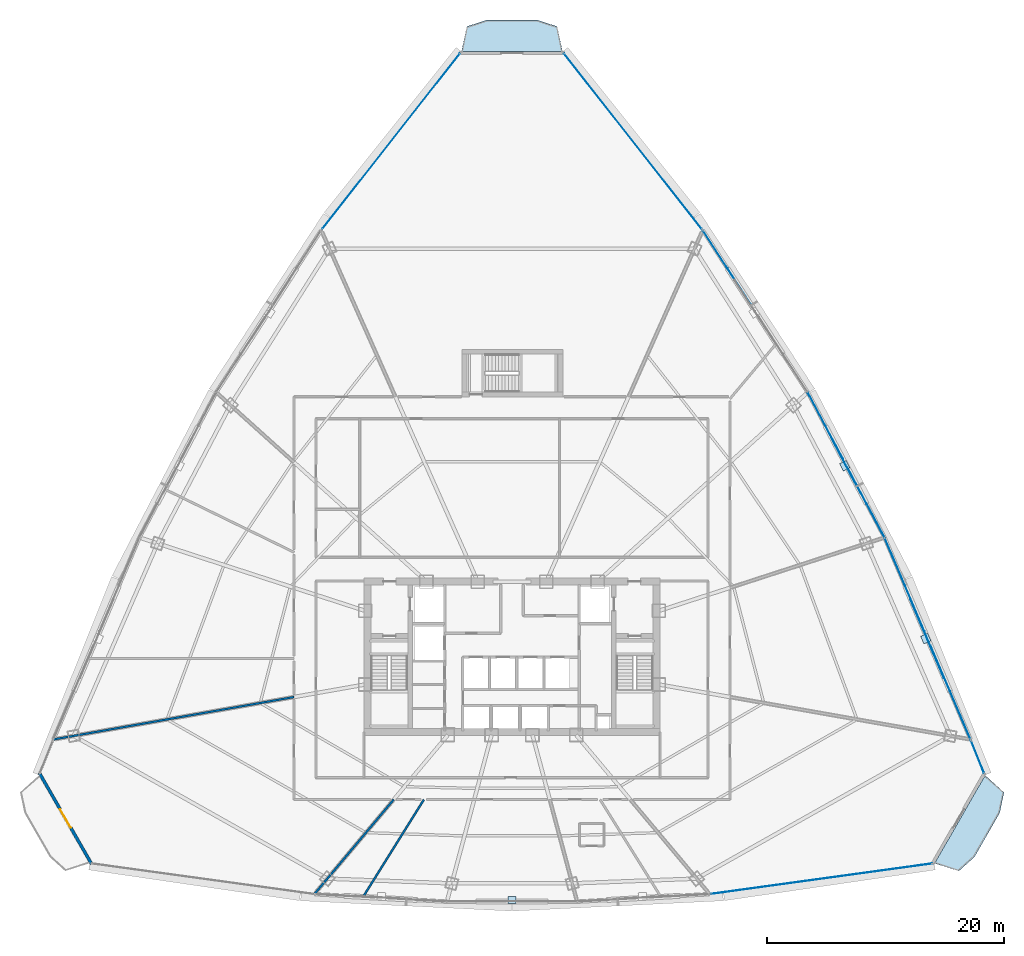
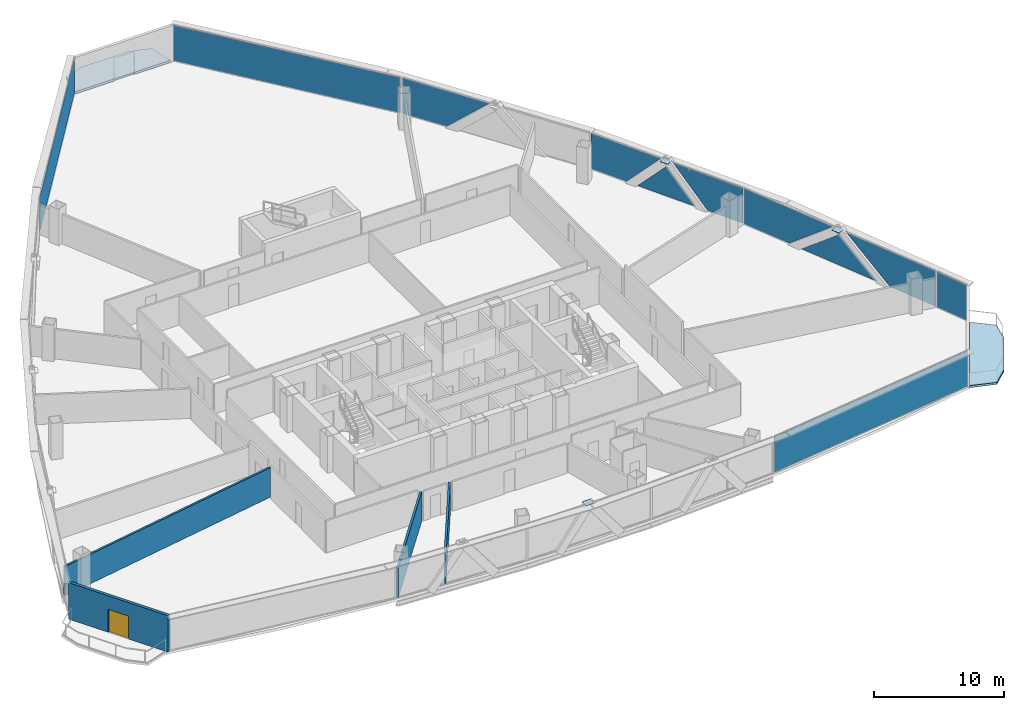
# One storey, part 31 of 39: 14 plates, 4 walls, 2 slabs, 1 door, 1 opening, 7 elements without a shape of their own.
"""IFC4 building model written with IfcOpenShell, lengths in metres."""

from ifc_helpers import new_model, si_unit, direction, frame, frame_2d, origin, origin_with_axes, origin_2d, place, context, subcontext, project, spatial, polyline, rectangle, outline, extrude, source, transform, mapped, material, layer, layer_set, type_object, element, fill, aggregate, save


model = new_model("IFC4")

# Units and contexts
model_context = context("Model", 3, precision=1e-05, world=origin(), true_north=direction((0.0, 1.0)))
body_context = subcontext(model_context, "Body", "Model", "MODEL_VIEW")
ifc_project = project(units=[si_unit("LENGTHUNIT", "METRE"), si_unit("AREAUNIT", "SQUARE_METRE"), si_unit("VOLUMEUNIT", "CUBIC_METRE"), si_unit("PLANEANGLEUNIT", "RADIAN"), si_unit("MASSUNIT", "GRAM", prefix="KILO"), si_unit("THERMODYNAMICTEMPERATUREUNIT", "KELVIN"), si_unit("POWERUNIT", "WATT")], contexts=[model_context])

# Site, building, storey
site_placement = place(None, origin())
site = spatial("IfcSite", under=ifc_project, at=site_placement, CompositionType="ELEMENT")
building_placement = place(site_placement, origin())
building = spatial("IfcBuilding", under=site, at=building_placement, Name="Yunzhuo Pagoda Commons", CompositionType="ELEMENT")
storey_placement = place(building_placement, frame((0.0, 0.0, 148.22998046875)))
storey = spatial("IfcBuildingStorey", under=building, at=storey_placement, Name="L37", CompositionType="ELEMENT", Elevation=148.22998046875)

# Curtain wall, plates
ifc_material_1 = material(Name="Anodized aluminium 6063-T6", Category="aluminium")
ifc_layer_1 = layer(ifc_material_1, 0.14990234375)
ifc_layer_set_1 = layer_set([ifc_layer_1], Name="Anodized aluminium 6063-T6")
curtain_wall_type = type_object("IfcCurtainWallType", Name="CW-MID Mid-Zone Ribbon Curtain Wall", PredefinedType="NOTDEFINED", material=ifc_layer_set_1)
curtain_wall_1_placement = place(storey_placement, origin())
curtain_wall_1 = element("IfcCurtainWall", 1, at=curtain_wall_1_placement, inside=storey, type_object=curtain_wall_type, Name="L37 curtain wall CW-L37-F2B2", PredefinedType="NOTDEFINED")
ifc_material_2 = material(Name="Tempered low-e double glazing", Category="glass")
ifc_layer_2 = layer(ifc_material_2, 0.028076171875)
ifc_layer_set_2 = layer_set([ifc_layer_2], Name="Tempered low-e double glazing")
plate_type_1 = type_object("IfcPlateType", Name="CW-MID-P Low-E Double Glazing 28", PredefinedType="CURTAIN_PANEL", material=ifc_layer_set_2)
plate_1_placement = place(storey_placement, frame((85.003173828125, 30.844970703125, 1.7099609375), z_axis=(0.920072228059, 0.391748765351, 0.0), x_axis=(-0.391748765351, 0.920072228059, 0.0)))
plate_1 = element("IfcPlate", 2, at=plate_1_placement, type_object=plate_type_1, Name="CW panel 1.1 lite 1", PredefinedType="CURTAIN_PANEL", context=body_context, shape_type="SweptSolid", body=[
    extrude(outline(polyline([(-4.261474609375, -1.655029296875), (0.095703125, -1.655029296875), (4.261474609375, 1.655029296875), (-4.261474609375, 1.655029296875), (-4.261474609375, -1.655029296875)])), origin(), (0.0, 0.0, 1.0), 0.028076171875),
])
plate_2_placement = place(storey_placement, frame((83.039794921875, 35.379638671875, 1.494873046875), z_axis=(0.920072228059, 0.391748765351, 0.0), x_axis=(-0.391748765351, 0.920072228059, 0.0)))
plate_2 = element("IfcPlate", 3, at=plate_2_placement, type_object=plate_type_1, Name="CW panel 1.1 lite 2", PredefinedType="CURTAIN_PANEL", context=body_context, shape_type="SweptSolid", body=[
    extrude(outline(polyline([(-3.6240234375, -1.439697265625), (3.6240234375, -1.439697265625), (0.0, 1.439697265625), (-3.6240234375, -1.439697265625)])), origin(), (0.0, 0.0, 1.0), 0.028076171875),
])
plate_3_placement = place(storey_placement, frame((81.131591796875, 39.937744140625, 1.7099609375), z_axis=(0.920072228059, 0.391748765351, 0.0), x_axis=(-0.391748765351, 0.920072228059, 0.0)))
plate_3 = element("IfcPlate", 4, at=plate_3_placement, type_object=plate_type_1, Name="CW panel 1.1 lite 3", PredefinedType="CURTAIN_PANEL", context=body_context, shape_type="SweptSolid", body=[
    extrude(outline(polyline([(-4.26123046875, 1.655029296875), (-0.095703125, -1.655029296875), (4.26123046875, -1.655029296875), (4.26123046875, 1.655029296875), (-4.26123046875, 1.655029296875)])), origin(), (0.0, 0.0, 1.0), 0.028076171875),
])
aggregate(curtain_wall_1, [plate_1, plate_2, plate_3])

curtain_wall_2_placement = place(storey_placement, origin())
curtain_wall_2 = element("IfcCurtainWall", 5, at=curtain_wall_2_placement, inside=storey, type_object=curtain_wall_type, Name="L37 curtain wall CW-L37-F2B3", PredefinedType="NOTDEFINED")
plate_4_placement = place(storey_placement, frame((77.937744140625, 46.750244140625, 1.7099609375), z_axis=(0.883879096849, 0.467715449984, 0.0), x_axis=(-0.467715449984, 0.883879096849, 0.0)))
plate_4 = element("IfcPlate", 6, at=plate_4_placement, type_object=plate_type_1, Name="CW panel 1.1 lite 1", PredefinedType="CURTAIN_PANEL", context=body_context, shape_type="SweptSolid", body=[
    extrude(outline(polyline([(-3.150390625, -1.655029296875), (0.031494140625, -1.655029296875), (3.150390625, 1.655029296875), (-3.150390625, 1.655029296875), (-3.150390625, -1.655029296875)])), origin(), (0.0, 0.0, 1.0), 0.028076171875),
])
plate_5_placement = place(storey_placement, frame((76.169189453125, 50.0283203125, 1.46044921875), z_axis=(0.883879096849, 0.467715449984, 0.0), x_axis=(-0.467715449984, 0.883879096849, 0.0)))
plate_5 = element("IfcPlate", 7, at=plate_5_placement, type_object=plate_type_1, Name="CW panel 1.1 lite 2", PredefinedType="CURTAIN_PANEL", context=body_context, shape_type="SweptSolid", body=[
    extrude(outline(polyline([(-2.6484375, -1.405517578125), (2.6484375, -1.405517578125), (0.0, 1.405517578125), (-2.6484375, -1.405517578125)])), origin(), (0.0, 0.0, 1.0), 0.028076171875),
])
plate_6_placement = place(storey_placement, frame((74.453857421875, 53.334228515625, 1.7099609375), z_axis=(0.883879096849, 0.467715449984, 0.0), x_axis=(-0.467715449984, 0.883879096849, 0.0)))
plate_6 = element("IfcPlate", 8, at=plate_6_placement, type_object=plate_type_1, Name="CW panel 1.1 lite 3", PredefinedType="CURTAIN_PANEL", context=body_context, shape_type="SweptSolid", body=[
    extrude(outline(polyline([(-3.150390625, 1.655029296875), (-0.031494140625, -1.655029296875), (3.150390625, -1.655029296875), (3.150390625, 1.655029296875), (-3.150390625, 1.655029296875)])), origin(), (0.0, 0.0, 1.0), 0.028076171875),
])
aggregate(curtain_wall_2, [plate_4, plate_5, plate_6])

# Curtain wall, plate
curtain_wall_3_placement = place(storey_placement, origin())
curtain_wall_3 = element("IfcCurtainWall", 9, at=curtain_wall_3_placement, inside=storey, type_object=curtain_wall_type, Name="L37 curtain wall CW-L37-F2B4", PredefinedType="NOTDEFINED")
plate_7_placement = place(storey_placement, frame((66.15087890625, 66.6728515625, 1.7099609375), z_axis=(0.839320281383, 0.543637255216, 0.0), x_axis=(-0.543637255216, 0.839320281383, 0.0)))
plate_7 = element("IfcPlate", 10, at=plate_7_placement, type_object=plate_type_1, Name="CW panel 1.1 lite 3", PredefinedType="CURTAIN_PANEL", context=body_context, shape_type="SweptSolid", body=[
    extrude(outline(polyline([(-3.732177734375, 1.655029296875), (-0.06591796875, -1.655029296875), (3.732177734375, -1.655029296875), (3.732177734375, 1.655029296875), (-3.732177734375, 1.655029296875)])), origin(), (0.0, 0.0, 1.0), 0.028076171875),
])
aggregate(curtain_wall_3, [plate_7])

# Slabs
ifc_material_3 = material(Name="Concrete C40", Category="concrete")
ifc_layer_3 = layer(ifc_material_3, 0.199951171875)
ifc_layer_set_3 = layer_set([ifc_layer_3], Name="Concrete C40")
slab_type = type_object("IfcSlabType", Name="SL-BAL Vertex Balcony Deck Slab 200", PredefinedType="FLOOR", material=ifc_layer_set_3)
slab_1_placement = place(storey_placement, frame((0.0, 0.0, -0.199951171875)))
element("IfcSlab", 11, at=slab_1_placement, inside=storey, type_object=slab_type, Name="L37 corner balcony V2", PredefinedType="FLOOR", context=body_context, shape_type="SweptSolid", body=[
    extrude(outline(polyline([(83.679443359375, 16.419189453125), (87.9404296875, 23.840576171875), (89.533203125, 22.406982421875), (89.169189453125, 20.668212890625), (87.03857421875, 16.95751953125), (85.720458984375, 15.766357421875), (83.679443359375, 16.419189453125)])), origin(), (0.0, 0.0, 1.0), 0.199951171875),
])
slab_2_placement = place(storey_placement, frame((0.0, 0.0, -0.199951171875)))
element("IfcSlab", 12, at=slab_2_placement, inside=storey, type_object=slab_type, Name="L37 corner balcony V3", PredefinedType="FLOOR", context=body_context, shape_type="SweptSolid", body=[
    extrude(outline(polyline([(52.260986328125, 84.96337890625), (43.739013671875, 84.96337890625), (44.18896484375, 87.058349609375), (45.869384765625, 87.6083984375), (50.130615234375, 87.6083984375), (51.81103515625, 87.058349609375), (52.260986328125, 84.96337890625)])), origin(), (0.0, 0.0, 1.0), 0.199951171875),
])

# Plates
ifc_material_4 = material(Name="Structural steel Q355B", Category="steel")
ifc_layer_4 = layer(ifc_material_4, 0.028076171875)
ifc_layer_set_4 = layer_set([ifc_layer_4], Name="Structural steel Q355B")
plate_type_2 = type_object("IfcPlateType", Name="SP-ND1 Lattice Node Cap Plate 800x500x28", PredefinedType="USERDEFINED", material=ifc_layer_set_4)
shared_shape_1 = source(origin(), body_context, "Body", "SweptSolid", [
    extrude(rectangle(XDim=0.699951171875, YDim=0.654296875, at=origin_2d()), origin(), (0.0, 0.0, 1.0), 0.035888671875),
])
plate_8_placement = place(storey_placement, frame((82.928466796875, 35.39013671875, 3.3818359375), z_axis=(0.0, 0.0, 1.0), x_axis=(-0.391743040033, 0.920074665767, 0.0)))
element("IfcPlate", 13, at=plate_8_placement, inside=storey, type_object=plate_type_2, Name="L37 setback lattice tie plate F2.1L", ObjectType="STIFFENER_PLATE", PredefinedType="USERDEFINED", context=body_context, shape_type="MappedRepresentation", body=[
    mapped(shared_shape_1, transform((0.0, 0.0, 0.0), scale=1.0)),
])
shared_shape_2 = source(origin(), body_context, "Body", "SweptSolid", [
    extrude(rectangle(XDim=0.699951171875, YDim=0.6259765625, at=origin_2d()), origin(), (0.0, 0.0, 1.0), 0.035888671875),
])
plate_9_placement = place(storey_placement, frame((76.088623046875, 49.97998046875, 3.3818359375), z_axis=(0.0, 0.0, 1.0), x_axis=(-0.467713855613, 0.883879940528, 0.0)))
element("IfcPlate", 14, at=plate_9_placement, inside=storey, type_object=plate_type_2, Name="L37 setback lattice tie plate F2.2L", ObjectType="STIFFENER_PLATE", PredefinedType="USERDEFINED", context=body_context, shape_type="MappedRepresentation", body=[
    mapped(shared_shape_2, transform((0.0, 0.0, 0.0), scale=1.0)),
])
shared_shape_3 = source(origin(), body_context, "Body", "SweptSolid", [
    extrude(rectangle(XDim=0.699951171875, YDim=0.61328125, at=origin_2d()), origin(), (0.0, 0.0, 1.0), 0.035888671875),
])
plate_10_placement = place(storey_placement, frame((48.0, 13.312255859375, 3.3818359375), z_axis=(0.0, 0.0, 1.0), x_axis=(1.0, 0.0, 0.0)))
element("IfcPlate", 15, at=plate_10_placement, inside=storey, type_object=plate_type_2, Name="L37 setback lattice tie plate F1.2L", ObjectType="STIFFENER_PLATE", PredefinedType="USERDEFINED", context=body_context, shape_type="MappedRepresentation", body=[
    mapped(shared_shape_3, transform((0.0, 0.0, 0.0), scale=1.0)),
])

# Curtain wall, plate
curtain_wall_4_placement = place(storey_placement, origin())
curtain_wall_4 = element("IfcCurtainWall", 16, at=curtain_wall_4_placement, inside=storey, type_object=curtain_wall_type, Name="L37 curtain wall CW-L37-F1B5", PredefinedType="NOTDEFINED")
shared_shape_4 = source(origin(), body_context, "Body", "SweptSolid", [
    extrude(rectangle(XDim=18.811767578125, YDim=0.028076171875, at=origin_2d()), origin(), (0.0, 0.0, 1.0), 3.31005859375),
])
plate_11_placement = place(storey_placement, frame((74.137451171875, 15.114501953125, 0.054931640625), z_axis=(0.0, 0.0, 1.0), x_axis=(0.990678510165, 0.136220738131, 0.0)))
plate_11 = element("IfcPlate", 17, at=plate_11_placement, type_object=plate_type_1, Name="CW panel 1.1", PredefinedType="CURTAIN_PANEL", context=body_context, shape_type="MappedRepresentation", body=[
    mapped(shared_shape_4, transform((0.0, 0.0, 0.0), scale=1.0)),
])
aggregate(curtain_wall_4, [plate_11])

curtain_wall_5_placement = place(storey_placement, origin())
curtain_wall_5 = element("IfcCurtainWall", 18, at=curtain_wall_5_placement, inside=storey, type_object=curtain_wall_type, Name="L37 curtain wall CW-L37-F2B1", PredefinedType="NOTDEFINED")
shared_shape_5 = source(origin(), body_context, "Body", "SweptSolid", [
    extrude(rectangle(XDim=2.91455078125, YDim=0.028076171875, at=origin_2d()), origin(), (0.0, 0.0, 1.0), 3.31005859375),
])
plate_12_placement = place(storey_placement, frame((87.303955078125, 25.3974609375, 0.054931640625), z_axis=(0.0, 0.0, 1.0), x_axis=(-0.373616750166, 0.927583162846, 0.0)))
plate_12 = element("IfcPlate", 19, at=plate_12_placement, type_object=plate_type_1, Name="CW panel 1.1", PredefinedType="CURTAIN_PANEL", context=body_context, shape_type="MappedRepresentation", body=[
    mapped(shared_shape_5, transform((0.0, 0.0, 0.0), scale=1.0)),
])
aggregate(curtain_wall_5, [plate_12])

curtain_wall_6_placement = place(storey_placement, origin())
curtain_wall_6 = element("IfcCurtainWall", 20, at=curtain_wall_6_placement, inside=storey, type_object=curtain_wall_type, Name="L37 curtain wall CW-L37-F2B5", PredefinedType="NOTDEFINED")
shared_shape_6 = source(origin(), body_context, "Body", "SweptSolid", [
    extrude(rectangle(XDim=18.82861328125, YDim=0.028076171875, at=origin_2d()), origin(), (0.0, 0.0, 1.0), 3.31005859375),
])
plate_13_placement = place(storey_placement, frame((58.205322265625, 77.375244140625, 0.054931640625), z_axis=(0.0, 0.0, 1.0), x_axis=(-0.617380481147, 0.786664694453, 0.0)))
plate_13 = element("IfcPlate", 21, at=plate_13_placement, type_object=plate_type_1, Name="CW panel 1.1", PredefinedType="CURTAIN_PANEL", context=body_context, shape_type="MappedRepresentation", body=[
    mapped(shared_shape_6, transform((0.0, 0.0, 0.0), scale=1.0)),
])
aggregate(curtain_wall_6, [plate_13])

curtain_wall_7_placement = place(storey_placement, origin())
curtain_wall_7 = element("IfcCurtainWall", 22, at=curtain_wall_7_placement, inside=storey, type_object=curtain_wall_type, Name="L37 curtain wall CW-L37-F3B1", PredefinedType="NOTDEFINED")
plate_14_placement = place(storey_placement, frame((37.794677734375, 77.375244140625, 0.054931640625), z_axis=(0.0, 0.0, 1.0), x_axis=(-0.617380481147, -0.786664694453, 0.0)))
plate_14 = element("IfcPlate", 23, at=plate_14_placement, type_object=plate_type_1, Name="CW panel 1.1", PredefinedType="CURTAIN_PANEL", context=body_context, shape_type="MappedRepresentation", body=[
    mapped(shared_shape_6, transform((0.0, 0.0, 0.0), scale=1.0)),
])
aggregate(curtain_wall_7, [plate_14])

# Wall, opening, door
ifc_material_5 = material(Name="Precast concrete C40", Category="concrete")
ifc_layer_5 = layer(ifc_material_5, 0.260009765625)
ifc_layer_set_5 = layer_set([ifc_layer_5], Name="Precast concrete C40")
wall_type_1 = type_object("IfcWallType", Name="W-BAL1 Corner Balcony Threshold Wall 260", PredefinedType="STANDARD", material=ifc_layer_set_5)
wall_1_placement = place(storey_placement, frame((8.101806640625, 24.037841796875, 0.0), z_axis=(0.0, 0.0, 1.0), x_axis=(0.497915888941, -0.867225326856, 0.0)))
wall_1 = element("IfcWall", 24, at=wall_1_placement, inside=storey, type_object=wall_type_1, Name="L37 corner balcony wall V1", PredefinedType="STANDARD", context=body_context, shape_type="SweptSolid", body=[
    extrude(rectangle(XDim=8.857666015625, YDim=0.260009765625, at=frame_2d((4.4287109375, 0.0))), origin(), (0.0, 0.0, 1.0), 3.419921875),
])
opening_placement = place(wall_1_placement, frame((3.52880859375, 0.0, 0.0)))
opening = element("IfcOpeningElement", 25, at=opening_placement, cuts=wall_1, Name="Opening D-BAL1", PredefinedType="OPENING", context=body_context, shape_type="SweptSolid", body=[
    extrude(rectangle(XDim=1.800048828125, YDim=2.14990234375, at=frame_2d((0.89990234375, 1.074951171875))), frame((0.0, 0.14013671875, 0.0), z_axis=(0.0, -1.0, 0.0), x_axis=(1.0, 0.0, 0.0)), (0.0, 0.0, 1.0), 0.280029296875),
])
ifc_material_6 = material(Name="Anodized aluminium frame and tempered glazed leaf", Category="aluminium")
door_type = type_object("IfcDoorType", Name="D-BAL1 Corner Balcony Sliding Glazed Door 1800x2150", OperationType="DOUBLE_DOOR_SLIDING", PredefinedType="DOOR", material=ifc_material_6)
shared_shape_7 = source(origin(), body_context, "Body", "SweptSolid", [
    extrude(rectangle(XDim=1.800048828125, YDim=2.14990234375, at=frame_2d((0.89990234375, 1.074951171875))), frame((0.0, 0.02490234375, 0.0), z_axis=(0.0, -1.0, 0.0), x_axis=(1.0, 0.0, 0.0)), (0.0, 0.0, 1.0), 0.050048828125),
])
door_placement = place(opening_placement, origin_with_axes())
door = element("IfcDoor", 26, at=door_placement, inside=storey, type_object=door_type, Name="L37 corner balcony sliding door V1", OperationType="DOUBLE_DOOR_SLIDING", OverallHeight=2.14990234375, OverallWidth=1.800048828125, PredefinedType="DOOR", context=body_context, shape_type="MappedRepresentation", body=[
    mapped(shared_shape_7, transform((0.0, 0.0, 0.0), scale=1.0)),
])
fill(opening, door)

# Walls
ifc_material_7 = material(Name="Gypsum plasterboard on acoustic stud")
ifc_layer_6 = layer(ifc_material_7, 0.175048828125)
ifc_layer_set_6 = layer_set([ifc_layer_6], Name="Gypsum plasterboard on acoustic stud")
wall_type_2 = type_object("IfcWallType", Name="W-PRT3 Mid-Zone Demising Wall 175", PredefinedType="PARTITIONING", material=ifc_layer_set_6)
wall_2_placement = place(storey_placement, frame((29.60009765625, 30.45556640625, 0.0), z_axis=(0.0, 0.0, 1.0), x_axis=(-0.984807623882, -0.173648909998, 0.0)))
element("IfcWall", 27, at=wall_2_placement, inside=storey, type_object=wall_type_2, Name="L37 interior wall IW-L37-RAD08", PredefinedType="PARTITIONING", context=body_context, shape_type="SweptSolid", body=[
    extrude(rectangle(XDim=20.622314453125, YDim=0.175048828125, at=frame_2d((10.31103515625, 0.0))), origin(), (0.0, 0.0, 1.0), 2.77001953125),
])
wall_3_placement = place(storey_placement, frame((38.0146484375, 21.800048828125, 0.0), z_axis=(0.0, 0.0, 1.0), x_axis=(-0.642781677101, -0.76604942111, 0.0)))
element("IfcWall", 28, at=wall_3_placement, inside=storey, type_object=wall_type_2, Name="L37 interior wall IW-L37-RAD09", PredefinedType="PARTITIONING", context=body_context, shape_type="SweptSolid", body=[
    extrude(rectangle(XDim=10.423828125, YDim=0.175048828125, at=frame_2d((5.2119140625, 0.0))), origin(), (0.0, 0.0, 1.0), 2.77001953125),
])
wall_4_placement = place(storey_placement, frame((40.564208984375, 21.800048828125, 0.0), z_axis=(0.0, 0.0, 1.0), x_axis=(-0.529931002604, -0.848040761096, 0.0)))
element("IfcWall", 29, at=wall_4_placement, inside=storey, type_object=wall_type_2, Name="L37 interior wall IW-L37-RAD10", PredefinedType="PARTITIONING", context=body_context, shape_type="SweptSolid", body=[
    extrude(rectangle(XDim=9.69091796875, YDim=0.175048828125, at=frame_2d((4.845458984375, 0.0))), origin(), (0.0, 0.0, 1.0), 2.77001953125),
])

save(model, "model.ifc")
